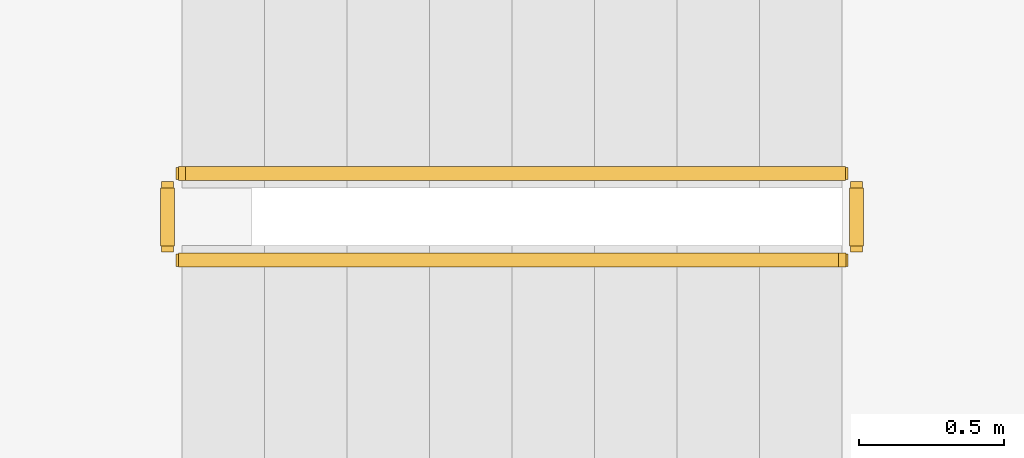
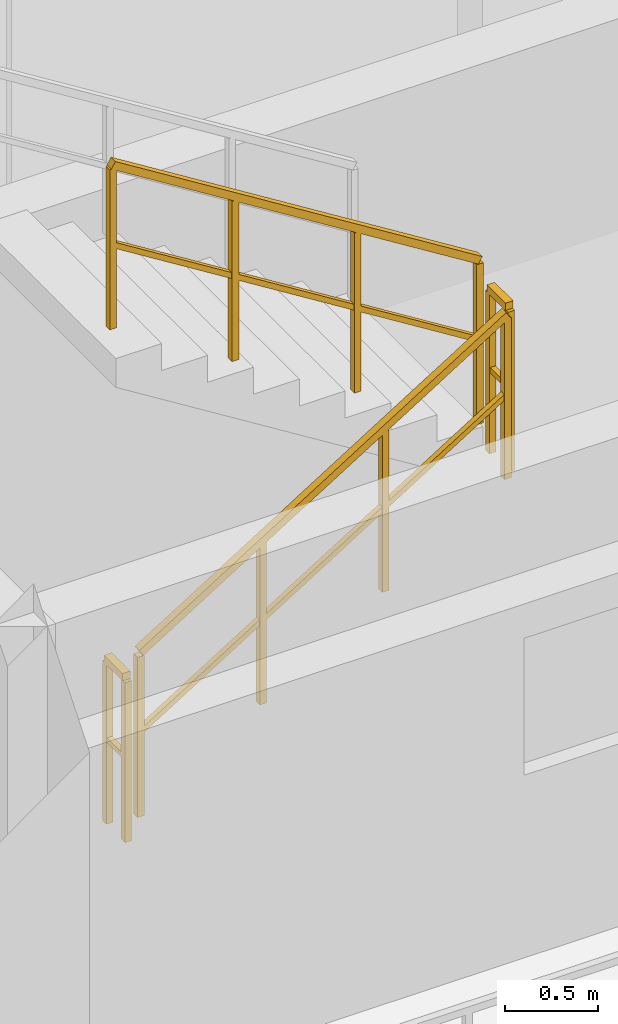
# One storey, part 57 of 67: 4 railings.
"""IFC4 building model written with IfcOpenShell, lengths in metres."""

from ifc_helpers import new_model, si_unit, direction, frame, origin, origin_2d, place, context, subcontext, project, spatial, rectangle, extrude, material, type_object, element, save


model = new_model("IFC4")

# Units and contexts
model_context = context("Model", 3, precision=1e-05, world=origin(), true_north=direction((0.0, 1.0)))
body_context = subcontext(model_context, "Body", "Model", "MODEL_VIEW")
ifc_project = project(units=[si_unit("LENGTHUNIT", "METRE"), si_unit("AREAUNIT", "SQUARE_METRE"), si_unit("VOLUMEUNIT", "CUBIC_METRE"), si_unit("PLANEANGLEUNIT", "RADIAN"), si_unit("MASSUNIT", "GRAM", prefix="KILO")], contexts=[model_context])

# Site, building, storey
site_placement = place(None, origin())
site = spatial("IfcSite", under=ifc_project, at=site_placement, CompositionType="ELEMENT")
building_placement = place(site_placement, origin())
building = spatial("IfcBuilding", under=site, at=building_placement, Name="Suanplinth Sawtooth Commons", CompositionType="ELEMENT")
storey_placement = place(building_placement, frame((0.0, 0.0, 25.10009765625)))
storey = spatial("IfcBuildingStorey", under=building, at=storey_placement, Name="L07", CompositionType="ELEMENT", Elevation=25.10009765625)

# Railings
ifc_material = material(Name="Stainless steel Grade 304", Category="steel")
railing_type = type_object("IfcRailingType", Name="GR-04", PredefinedType="GUARDRAIL", material=ifc_material)
railing_1_placement = place(storey_placement, frame((45.050048828125, 109.85009765625, 0.177734375)))
element("IfcRailing", 1, at=railing_1_placement, inside=storey, type_object=railing_type, Name="L07 ST-N1 Guard 1", PredefinedType="GUARDRAIL", context=body_context, shape_type="SweptSolid", body=[
    extrude(rectangle(XDim=0.048095703125, YDim=0.048095703125, at=origin_2d()), frame((0.0, 0.0, 1.076171875), z_axis=(0.848482842525, 0.0, 0.529222888715), x_axis=(0.0, 1.0, 0.0)), (0.0, 0.0, 1.0), 2.687255859375),
    extrude(rectangle(XDim=0.03369140625, YDim=0.03369140625, at=origin_2d()), frame((0.0, 0.0, 0.550048828125), z_axis=(0.848482842525, 0.0, 0.529222888715), x_axis=(0.0, 1.0, 0.0)), (0.0, 0.0, 1.0), 2.687255859375),
    extrude(rectangle(XDim=0.0419921875, YDim=0.0419921875, at=origin_2d()), origin(), (0.0, 0.0, 1.0), 1.052001953125),
    extrude(rectangle(XDim=0.0419921875, YDim=0.0419921875, at=origin_2d()), frame((0.760009765625, 0.0, 0.47412109375)), (0.0, 0.0, 1.0), 1.052001953125),
    extrude(rectangle(XDim=0.0419921875, YDim=0.0419921875, at=origin_2d()), frame((1.52001953125, 0.0, 0.947998046875)), (0.0, 0.0, 1.0), 1.052001953125),
    extrude(rectangle(XDim=0.0419921875, YDim=0.0419921875, at=origin_2d()), frame((2.280029296875, 0.0, 1.422119140625)), (0.0, 0.0, 1.0), 1.052001953125),
])
railing_2_placement = place(storey_placement, frame((47.3798828125, 109.89990234375, 1.599853515625)))
element("IfcRailing", 2, at=railing_2_placement, inside=storey, type_object=railing_type, Name="L07 ST-N1 Guard 2", PredefinedType="GUARDRAIL", context=body_context, shape_type="SweptSolid", body=[
    extrude(rectangle(XDim=0.048095703125, YDim=0.048095703125, at=origin_2d()), frame((0.0, 0.0, 1.076171875), z_axis=(0.0, 1.0, 0.0), x_axis=(-1.0, 0.0, 0.0)), (0.0, 0.0, 1.0), 0.2001953125),
    extrude(rectangle(XDim=0.03369140625, YDim=0.03369140625, at=origin_2d()), frame((0.0, 0.0, 0.550048828125), z_axis=(0.0, 1.0, 0.0), x_axis=(-1.0, 0.0, 0.0)), (0.0, 0.0, 1.0), 0.2001953125),
    extrude(rectangle(XDim=0.0419921875, YDim=0.0419921875, at=origin_2d()), origin(), (0.0, 0.0, 1.0), 1.052001953125),
    extrude(rectangle(XDim=0.0419921875, YDim=0.0419921875, at=origin_2d()), frame((0.0, 0.2001953125, 0.0)), (0.0, 0.0, 1.0), 1.052001953125),
])
railing_3_placement = place(storey_placement, frame((47.330078125, 110.14990234375, 1.777587890625)))
element("IfcRailing", 3, at=railing_3_placement, inside=storey, type_object=railing_type, Name="L07 ST-N1 Guard 3", PredefinedType="GUARDRAIL", context=body_context, shape_type="SweptSolid", body=[
    extrude(rectangle(XDim=0.048095703125, YDim=0.048095703125, at=origin_2d()), frame((0.0, 0.0, 1.076171875), z_axis=(-0.848442045328, 0.0, 0.529288291689), x_axis=(0.0, -1.0, 0.0)), (0.0, 0.0, 1.0), 2.687255859375),
    extrude(rectangle(XDim=0.03369140625, YDim=0.03369140625, at=origin_2d()), frame((0.0, 0.0, 0.550048828125), z_axis=(-0.848442045328, 0.0, 0.529288291689), x_axis=(0.0, -1.0, 0.0)), (0.0, 0.0, 1.0), 2.687255859375),
    extrude(rectangle(XDim=0.0419921875, YDim=0.0419921875, at=origin_2d()), origin(), (0.0, 0.0, 1.0), 1.052001953125),
    extrude(rectangle(XDim=0.0419921875, YDim=0.0419921875, at=origin_2d()), frame((-0.760009765625, 0.0, 0.47412109375)), (0.0, 0.0, 1.0), 1.052001953125),
    extrude(rectangle(XDim=0.0419921875, YDim=0.0419921875, at=origin_2d()), frame((-1.52001953125, 0.0, 0.9482421875)), (0.0, 0.0, 1.0), 1.052001953125),
    extrude(rectangle(XDim=0.0419921875, YDim=0.0419921875, at=origin_2d()), frame((-2.280029296875, 0.0, 1.42236328125)), (0.0, 0.0, 1.0), 1.052001953125),
])
railing_4_placement = place(storey_placement, frame((45.0, 109.89990234375, 0.0)))
element("IfcRailing", 4, at=railing_4_placement, inside=storey, type_object=railing_type, Name="L07 ST-N1 Guard 4", PredefinedType="GUARDRAIL", context=body_context, shape_type="SweptSolid", body=[
    extrude(rectangle(XDim=0.048095703125, YDim=0.048095703125, at=origin_2d()), frame((0.0, 0.0, 1.076171875), z_axis=(0.0, 1.0, 0.0), x_axis=(-1.0, 0.0, 0.0)), (0.0, 0.0, 1.0), 0.2001953125),
    extrude(rectangle(XDim=0.03369140625, YDim=0.03369140625, at=origin_2d()), frame((0.0, 0.0, 0.550048828125), z_axis=(0.0, 1.0, 0.0), x_axis=(-1.0, 0.0, 0.0)), (0.0, 0.0, 1.0), 0.2001953125),
    extrude(rectangle(XDim=0.0419921875, YDim=0.0419921875, at=origin_2d()), origin(), (0.0, 0.0, 1.0), 1.052001953125),
    extrude(rectangle(XDim=0.0419921875, YDim=0.0419921875, at=origin_2d()), frame((0.0, 0.2001953125, 0.0)), (0.0, 0.0, 1.0), 1.052001953125),
])

save(model, "model.ifc")
